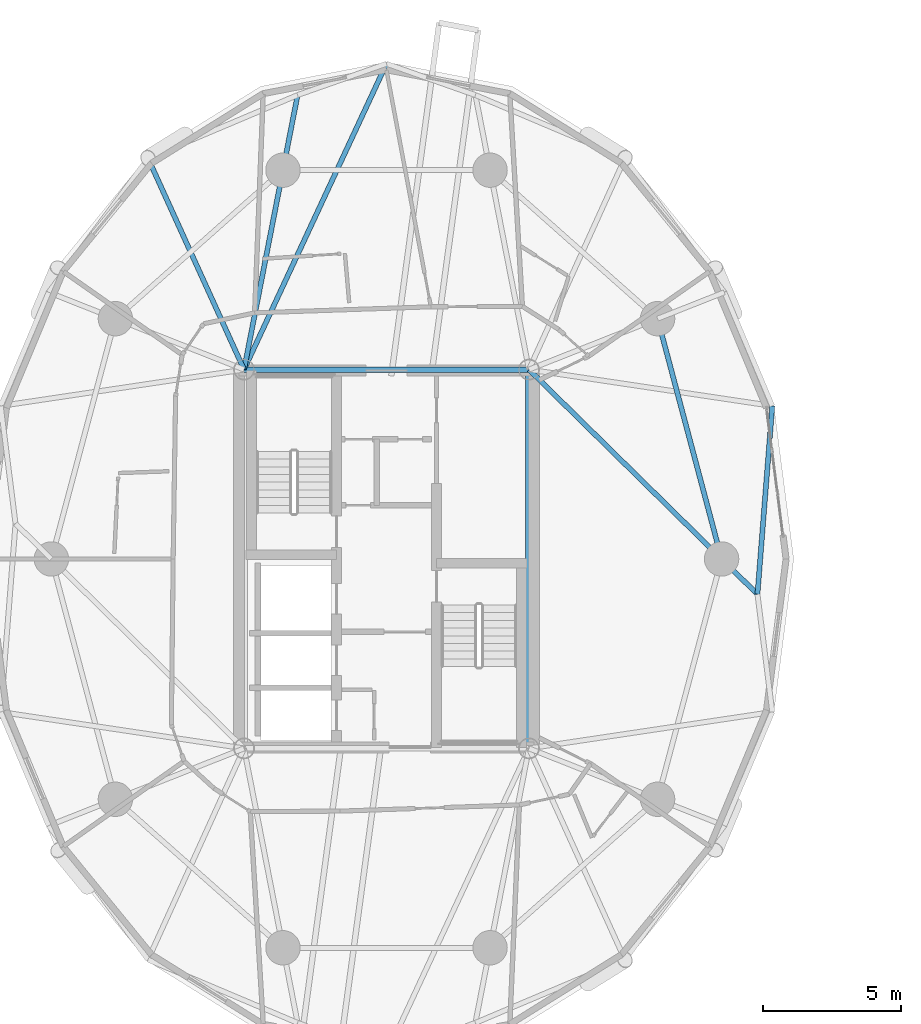
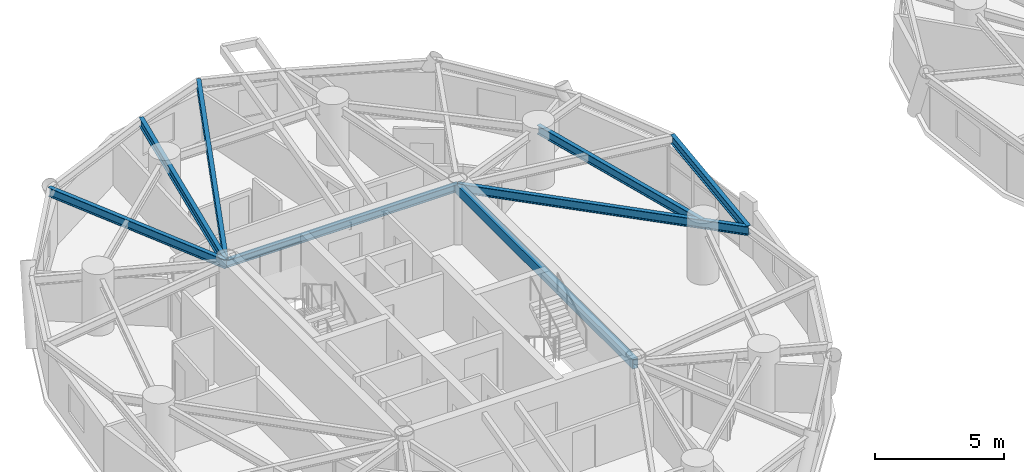
# One storey, part 2 of 18: 8 beams.
"""IFC4 building model written with IfcOpenShell, lengths in metres."""

import ifcopenshell
import ifcopenshell.guid

model = None  # the IFC model being written
_history = None  # IfcOwnerHistory: only IFC2X3 demands one
_inside = {}  # id of a spatial element -> (the spatial element, [elements in it])
_under = {}  # id of a project, library or spatial element -> (it, [spatial elements below it])
_declared = {}  # id of a project -> (the project, [libraries it declares])
_typed = {}  # id of a type object -> (the type object, [elements of that type])
_made_of = {}  # id of a material, layer set ... -> (it, [elements and type objects made of it])


def new_model(schema):
    """Start an empty IFC model of exactly this schema.

    Asked for "IFC4X3", IfcOpenShell would pick the latest addendum, in which some entities
    have other attributes; the version numbers below select the first issue.
    IFC2X3 requires an IfcOwnerHistory on every rooted entity: one is made here for all.
    """
    global model, _history
    if schema == "IFC4X3":
        model = ifcopenshell.file(schema_version=(4, 3, 0, 0))
    else:
        model = ifcopenshell.file(schema=schema)
    _inside.clear()
    _under.clear()
    _declared.clear()
    _typed.clear()
    _made_of.clear()
    _history = None
    if model.schema == "IFC2X3":
        org = make("IfcOrganization", Name="unknown")
        user = make(
            "IfcPersonAndOrganization",
            ThePerson=make("IfcPerson", FamilyName="unknown"),
            TheOrganization=org,
        )
        app = make(
            "IfcApplication",
            ApplicationDeveloper=org,
            Version="unknown",
            ApplicationFullName="unknown",
            ApplicationIdentifier="unknown",
        )
        _history = make(
            "IfcOwnerHistory",
            OwningUser=user,
            OwningApplication=app,
            ChangeAction="ADDED",
            CreationDate=0,
        )
    return model


def make(cls, **values):
    """One entity of the class cls with the attributes given. An attribute that is None is left unset."""
    return model.create_entity(
        cls, **{name: value for name, value in values.items() if value is not None}
    )


def rooted(cls, **values):
    """An entity with a GlobalId (a new one), such as an element, a storey or a relation."""
    return make(cls, GlobalId=ifcopenshell.guid.new(), OwnerHistory=_history, **values)


def si_unit(unit_type, name, prefix=None):
    """IfcSIUnit, for example si_unit("LENGTHUNIT", "METRE", prefix="MILLI")."""
    return make("IfcSIUnit", UnitType=unit_type, Prefix=prefix, Name=name)


def assignment(units):
    """IfcUnitAssignment: the units of a project."""
    return None if units is None else make("IfcUnitAssignment", Units=units)


def point(xyz):
    """IfcCartesianPoint."""
    return None if xyz is None else make("IfcCartesianPoint", Coordinates=xyz)


def direction(xyz):
    """IfcDirection."""
    return None if xyz is None else make("IfcDirection", DirectionRatios=xyz)


def frame(location, z_axis=None, x_axis=None):
    """IfcAxis2Placement3D, a coordinate frame: its origin and axes. An axis left out is left unset."""
    return make(
        "IfcAxis2Placement3D",
        Location=point(location),
        Axis=direction(z_axis),
        RefDirection=direction(x_axis),
    )


def frame_2d(location, x_axis=None):
    """IfcAxis2Placement2D, a coordinate frame in the plane: its origin and x axis."""
    return make(
        "IfcAxis2Placement2D", Location=point(location), RefDirection=direction(x_axis)
    )


def origin():
    """The frame at (0, 0, 0) with its axes left unset."""
    return frame((0.0, 0.0, 0.0))


def origin_2d():
    """The frame at (0, 0) in the plane with its x axis left unset."""
    return frame_2d((0.0, 0.0))


def place(relative_to, where):
    """IfcLocalPlacement: puts the frame where relative to a parent placement (None: the world)."""
    return make(
        "IfcLocalPlacement", PlacementRelTo=relative_to, RelativePlacement=where
    )


def context(
    kind, dimensions, precision=None, world=None, true_north=None, identifier=None
):
    """IfcGeometricRepresentationContext, for example the 3D "Model" context."""
    return make(
        "IfcGeometricRepresentationContext",
        ContextIdentifier=identifier,
        ContextType=kind,
        CoordinateSpaceDimension=dimensions,
        Precision=precision,
        WorldCoordinateSystem=world,
        TrueNorth=true_north,
    )


def subcontext(parent, identifier, kind, view, scale=None):
    """IfcGeometricRepresentationSubContext, for example "Body" below "Model"."""
    return make(
        "IfcGeometricRepresentationSubContext",
        ContextIdentifier=identifier,
        ContextType=kind,
        ParentContext=parent,
        TargetScale=scale,
        TargetView=view,
    )


def project(units=None, contexts=None):
    """IfcProject with its units and contexts."""
    return rooted(
        "IfcProject",
        Name="project",
        RepresentationContexts=contexts,
        UnitsInContext=assignment(units),
    )


def spatial(cls, under=None, at=None, **own):
    """A site, building, storey or space (cls), placed at a placement, below another one or the project."""
    s = rooted(cls, ObjectPlacement=at, **own)
    if under is not None:
        _under.setdefault(under.id(), (under, []))[1].append(s)
    return s


def profile(cls, at=None, kind="AREA", **sizes):
    """A parametric profile (cls). Its sizes go by their IFC names, for example OverallWidth=200.0."""
    return make(cls, ProfileType=kind, Position=at, **sizes)


def hollow_rectangle(**sizes):
    """IfcRectangleHollowProfileDef."""
    return profile("IfcRectangleHollowProfileDef", **sizes)


def i_section(**sizes):
    """IfcIShapeProfileDef."""
    return profile("IfcIShapeProfileDef", **sizes)


def extrude(swept, where, along, depth):
    """IfcExtrudedAreaSolid: the profile swept, set in the frame where, extruded along a direction by depth."""
    return make(
        "IfcExtrudedAreaSolid",
        SweptArea=swept,
        Position=where,
        ExtrudedDirection=direction(along),
        Depth=depth,
    )


def shape(context_of_items, identifier, shape_type, items):
    """IfcShapeRepresentation: the items that make up one representation, for example the "Body"."""
    return make(
        "IfcShapeRepresentation",
        ContextOfItems=context_of_items,
        RepresentationIdentifier=identifier,
        RepresentationType=shape_type,
        Items=items,
    )


def material(Name=None, Category=None):
    """IfcMaterial."""
    return make("IfcMaterial", Name=Name, Category=Category)


def material_profile(
    of_material, cross_section, Name=None, Category=None, Priority=None
):
    """IfcMaterialProfile: a cross section and its material."""
    return make(
        "IfcMaterialProfile",
        Name=Name,
        Material=of_material,
        Profile=cross_section,
        Priority=Priority,
        Category=Category,
    )


def profile_set(profiles, Name=None, composite=None):
    """IfcMaterialProfileSet."""
    return make(
        "IfcMaterialProfileSet",
        Name=Name,
        MaterialProfiles=profiles,
        CompositeProfile=composite,
    )


def made_of(thing, what):
    """Note that an element or type object is made of a material, layer set ...; save() writes the relation."""
    if what is not None:
        _made_of.setdefault(what.id(), (what, []))[1].append(thing)
    return thing


def type_object(cls, material=None, **own):
    """A type object (cls), such as IfcWallType, which elements share."""
    return made_of(rooted(cls, **own), material)


def element(
    cls,
    number,
    at=None,
    inside=None,
    cuts=None,
    type_object=None,
    material=None,
    context=None,
    identifier="Body",
    shape_type=None,
    held_by="IfcProductDefinitionShape",
    body=None,
    shapes=None,
    **own,
):
    """One element of the class cls, such as IfcWall. Its Tag is "e" and its number.

    at: its placement. inside: the storey or other place that contains it. cuts: it is an
    opening in that element (IfcRelVoidsElement). A single representation is given by context,
    identifier, shape_type and body (its items); several are given by shapes. held_by: the class
    of the entity that holds the representations. save() writes the other relations.
    """
    e = rooted(cls, Tag="e%d" % number, ObjectPlacement=at, **own)
    if body is not None:
        shapes = [shape(context, identifier, shape_type, body)]
    if shapes is not None:
        e.Representation = make(held_by, Representations=shapes)
    if inside is not None:
        _inside.setdefault(inside.id(), (inside, []))[1].append(e)
    if cuts is not None:
        rooted(
            "IfcRelVoidsElement", RelatingBuildingElement=cuts, RelatedOpeningElement=e
        )
    if type_object is not None:
        _typed.setdefault(type_object.id(), (type_object, []))[1].append(e)
    return made_of(e, material)


def aggregate(whole, parts):
    """IfcRelAggregates: a whole, such as a stair, and the parts it consists of."""
    return rooted("IfcRelAggregates", RelatingObject=whole, RelatedObjects=parts)


def save(model, path):
    """Write the relations noted so far, then the file.

    IfcRelAggregates (storeys below a building ...), IfcRelContainedInSpatialStructure (elements
    in a storey), IfcRelDefinesByType, IfcRelAssociatesMaterial and IfcRelDeclares: one each for
    every whole, place, type object, material and project.
    """
    for whole, parts in _under.values():
        aggregate(whole, parts)
    for where, things in _inside.values():
        rooted(
            "IfcRelContainedInSpatialStructure",
            RelatedElements=things,
            RelatingStructure=where,
        )
    for kind, things in _typed.values():
        rooted("IfcRelDefinesByType", RelatedObjects=things, RelatingType=kind)
    for what, things in _made_of.values():
        rooted("IfcRelAssociatesMaterial", RelatedObjects=things, RelatingMaterial=what)
    for by, libraries in _declared.values():
        rooted("IfcRelDeclares", RelatingContext=by, RelatedDefinitions=libraries)
    model.write(path)


model = new_model("IFC4")

# Units and contexts
model_context = context("Model", 3, precision=1e-05, world=origin(), true_north=direction((0.0, 1.0)))
body_context = subcontext(model_context, "Body", "Model", "MODEL_VIEW")
ifc_project = project(units=[si_unit("LENGTHUNIT", "METRE"), si_unit("AREAUNIT", "SQUARE_METRE"), si_unit("VOLUMEUNIT", "CUBIC_METRE"), si_unit("PLANEANGLEUNIT", "RADIAN"), si_unit("MASSUNIT", "GRAM", prefix="KILO")], contexts=[model_context])

# Site, building, storey
site_placement = place(None, origin())
site = spatial("IfcSite", under=ifc_project, at=site_placement, CompositionType="ELEMENT")
building_placement = place(site_placement, origin())
building = spatial("IfcBuilding", under=site, at=building_placement, Name="Cununo Teusaquillo Station Towers", CompositionType="ELEMENT")
storey_placement = place(building_placement, frame((0.0, 0.0, 157.419921875)))
storey = spatial("IfcBuildingStorey", under=building, at=storey_placement, Name="L49", CompositionType="ELEMENT", Elevation=157.419921875)

# Beams
ifc_material_1 = material(Name="Steel EN 10025-2 S355J2", Category="steel")
ifc_material_profile_1 = material_profile(ifc_material_1, hollow_rectangle(XDim=0.25, YDim=0.449951171875, WallThickness=0.01611328125, at=origin_2d()), Name="RHS 450x250x16")
ifc_profile_set_1 = profile_set([ifc_material_profile_1], Name="Steel EN 10025-2 S355J2")
beam_type_1 = type_object("IfcBeamType", Name="BM-COUP-1", PredefinedType="USERDEFINED", material=ifc_profile_set_1)
beam_1_placement = place(storey_placement, frame((21.675048828125, 17.6201171875, 2.465087890625), z_axis=(0.0, 1.0, 0.0), x_axis=(-1.0, 0.0, 0.0)))
element("IfcBeam", 1, at=beam_1_placement, inside=storey, type_object=beam_type_1, Name="L49 Tower A Core Beam 2", ObjectType="COUPLING BEAM", PredefinedType="USERDEFINED", context=body_context, shape_type="SweptSolid", body=[
    extrude(hollow_rectangle(XDim=0.25, YDim=0.449951171875, WallThickness=0.01611328125, at=origin_2d()), origin(), (0.0, 0.0, 1.0), 13.759765625),
])
ifc_material_2 = material(Name="Steel ASTM A572 Grade 50", Category="steel")
ifc_material_profile_2 = material_profile(ifc_material_2, i_section(OverallWidth=0.180908203125, OverallDepth=0.4169921875, WebThickness=0.010986328125, FlangeThickness=0.018310546875, FilletRadius=0.012939453125, at=origin_2d()), Name="W16X57")
ifc_profile_set_2 = profile_set([ifc_material_profile_2], Name="Steel ASTM A572 Grade 50")
beam_type_2 = type_object("IfcBeamType", Name="BM-JOIST-1", PredefinedType="JOIST", material=ifc_profile_set_2)
beam_2_placement = place(storey_placement, frame((11.324951171875, 31.3798828125, 2.481689453125), z_axis=(0.422237603969, 0.906485193368, 0.0), x_axis=(-0.906485193368, 0.422237603969, 0.0)))
element("IfcBeam", 2, at=beam_2_placement, inside=storey, type_object=beam_type_2, Name="L49 Tower A Radial Spandrel Joist V05", PredefinedType="JOIST", context=body_context, shape_type="SweptSolid", body=[
    extrude(i_section(OverallWidth=0.180908203125, OverallDepth=0.4169921875, WebThickness=0.010986328125, FlangeThickness=0.018310546875, FilletRadius=0.012939453125, at=origin_2d()), origin(), (0.0, 0.0, 1.0), 12.25634765625),
])
beam_3_placement = place(storey_placement, frame((11.324951171875, 31.3798828125, 2.481689453125), z_axis=(-0.413558514621, 0.910477542274, 0.0), x_axis=(-0.910477542274, -0.413558514621, 0.0)))
element("IfcBeam", 3, at=beam_3_placement, inside=storey, type_object=beam_type_2, Name="L49 Tower A Radial Spandrel Joist V07", PredefinedType="JOIST", context=body_context, shape_type="SweptSolid", body=[
    extrude(i_section(OverallWidth=0.180908203125, OverallDepth=0.4169921875, WebThickness=0.010986328125, FlangeThickness=0.018310546875, FilletRadius=0.012939453125, at=origin_2d()), origin(), (0.0, 0.0, 1.0), 8.428955078125),
])
ifc_material_3 = material(Name="Steel ASTM A572 Grade 50", Category="steel")
ifc_material_profile_3 = material_profile(ifc_material_3, i_section(OverallWidth=0.2041015625, OverallDepth=0.35009765625, WebThickness=0.008544921875, FlangeThickness=0.01513671875, FilletRadius=0.011962890625, at=origin_2d()), Name="W14X48")
ifc_profile_set_3 = profile_set([ifc_material_profile_3], Name="Steel ASTM A572 Grade 50")
beam_type_3 = type_object("IfcBeamType", Name="BM-LINTEL-1", PredefinedType="LINTEL", material=ifc_profile_set_3)
beam_4_placement = place(storey_placement, frame((11.324951171875, 31.3798828125, 2.51513671875), z_axis=(1.0, 0.0, 0.0), x_axis=(0.0, 1.0, 0.0)))
element("IfcBeam", 4, at=beam_4_placement, inside=storey, type_object=beam_type_3, Name="L49 Tower A Core Beam 4", PredefinedType="LINTEL", context=body_context, shape_type="SweptSolid", body=[
    extrude(i_section(OverallWidth=0.2041015625, OverallDepth=0.35009765625, WebThickness=0.008544921875, FlangeThickness=0.01513671875, FilletRadius=0.011962890625, at=origin_2d()), origin(), (0.0, 0.0, 1.0), 10.35009765625),
])
ifc_material_4 = material(Name="Steel ASTM A572 Grade 50", Category="steel")
ifc_material_profile_4 = material_profile(ifc_material_4, i_section(OverallWidth=0.180908203125, OverallDepth=0.4169921875, WebThickness=0.010986328125, FlangeThickness=0.018310546875, FilletRadius=0.012939453125, at=origin_2d()), Name="W16X57")
ifc_profile_set_4 = profile_set([ifc_material_profile_4], Name="Steel ASTM A572 Grade 50")
beam_type_4 = type_object("IfcBeamType", Name="BM-RAD-G2", PredefinedType="BEAM", material=ifc_profile_set_4)
beam_5_placement = place(storey_placement, frame((21.675048828125, 31.3798828125, 2.481689453125), z_axis=(0.71304866969, -0.701114537471, 0.0), x_axis=(0.701114537471, 0.71304866969, 0.0)))
element("IfcBeam", 5, at=beam_5_placement, inside=storey, type_object=beam_type_4, Name="L49 Tower A Continuous Overhanging Radial Girder 01", PredefinedType="BEAM", context=body_context, shape_type="SweptSolid", body=[
    extrude(i_section(OverallWidth=0.180908203125, OverallDepth=0.4169921875, WebThickness=0.010986328125, FlangeThickness=0.018310546875, FilletRadius=0.012939453125, at=origin_2d()), origin(), (0.0, 0.0, 1.0), 11.64013671875),
])
beam_6_placement = place(storey_placement, frame((11.324951171875, 31.3798828125, 2.481689453125), z_axis=(0.191552706487, 0.981482328235, 0.0), x_axis=(-0.981482328235, 0.191552706487, 0.0)))
element("IfcBeam", 6, at=beam_6_placement, inside=storey, type_object=beam_type_4, Name="L49 Tower A Continuous Overhanging Radial Girder 04", PredefinedType="BEAM", context=body_context, shape_type="SweptSolid", body=[
    extrude(i_section(OverallWidth=0.180908203125, OverallDepth=0.4169921875, WebThickness=0.010986328125, FlangeThickness=0.018310546875, FilletRadius=0.012939453125, at=origin_2d()), origin(), (0.0, 0.0, 1.0), 10.159423828125),
])
ifc_material_5 = material(Name="Steel ASTM A572 Grade 50", Category="steel")
ifc_material_profile_5 = material_profile(ifc_material_5, i_section(OverallWidth=0.180908203125, OverallDepth=0.4169921875, WebThickness=0.010986328125, FlangeThickness=0.018310546875, FilletRadius=0.012939453125, at=origin_2d()), Name="W16X57")
ifc_profile_set_5 = profile_set([ifc_material_profile_5], Name="Steel ASTM A572 Grade 50")
beam_type_5 = type_object("IfcBeamType", Name="BM-RING-Z3", PredefinedType="SPANDREL", material=ifc_profile_set_5)
beam_7_placement = place(storey_placement, frame((28.672119140625, 24.5, 2.481689453125), z_axis=(-0.257363196347, 0.966314744359, 0.0), x_axis=(-0.966314744359, -0.257363196347, 0.0)))
element("IfcBeam", 7, at=beam_7_placement, inside=storey, type_object=beam_type_5, Name="L49 Tower A Structural Column Ring Girder 01", PredefinedType="SPANDREL", context=body_context, shape_type="SweptSolid", body=[
    extrude(i_section(OverallWidth=0.180908203125, OverallDepth=0.4169921875, WebThickness=0.010986328125, FlangeThickness=0.018310546875, FilletRadius=0.012939453125, at=origin_2d()), origin(), (0.0, 0.0, 1.0), 9.03271484375),
])
beam_8_placement = place(storey_placement, frame((29.97509765625, 23.21875, 2.481689453125), z_axis=(0.078527541639, 0.996911944559, 0.0), x_axis=(-0.996911944559, 0.078527541639, 0.0)))
element("IfcBeam", 8, at=beam_8_placement, inside=storey, type_object=beam_type_5, Name="L49 Tower A Spandrel Ring Beam 01", PredefinedType="SPANDREL", context=body_context, shape_type="SweptSolid", body=[
    extrude(i_section(OverallWidth=0.180908203125, OverallDepth=0.4169921875, WebThickness=0.010986328125, FlangeThickness=0.018310546875, FilletRadius=0.012939453125, at=origin_2d()), origin(), (0.0, 0.0, 1.0), 6.861572265625),
])

save(model, "model.ifc")
